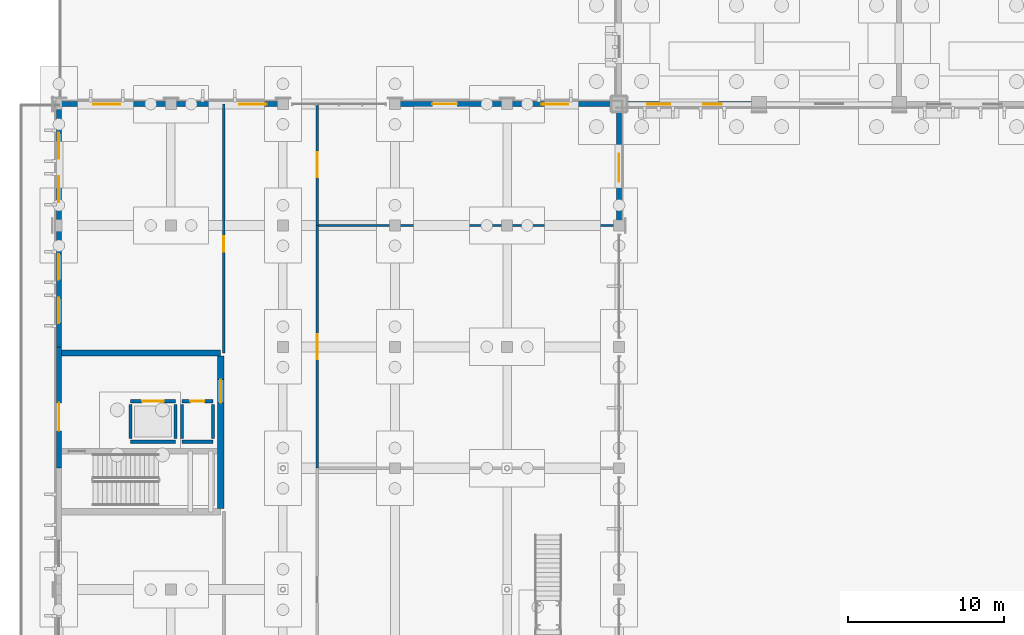
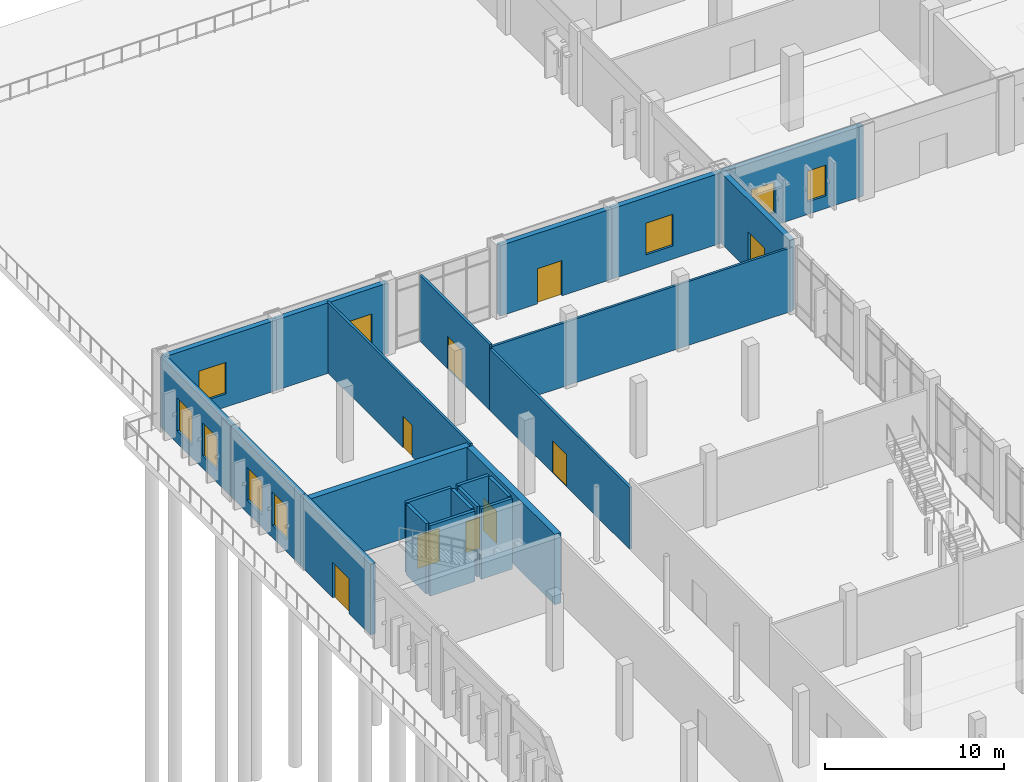
# One storey, part 65 of 94: 23 walls, 9 doors, 9 windows, 18 openings.
"""IFC4 building model written with IfcOpenShell, lengths in metres."""

from ifc_helpers import new_model, si_unit, direction, frame, frame_2d, origin, place, context, subcontext, project, spatial, rectangle, extrude, material, layer, layer_set, type_object, element, fill, save


model = new_model("IFC4")

# Units and contexts
model_context = context("Model", 3, precision=1e-05, world=origin(), true_north=direction((0.0, 1.0)))
body_context = subcontext(model_context, "Body", "Model", "MODEL_VIEW")
ifc_project = project(units=[si_unit("LENGTHUNIT", "METRE"), si_unit("AREAUNIT", "SQUARE_METRE"), si_unit("VOLUMEUNIT", "CUBIC_METRE"), si_unit("PLANEANGLEUNIT", "RADIAN"), si_unit("MASSUNIT", "GRAM", prefix="KILO")], contexts=[model_context])

# Site, building, storey
site_placement = place(None, origin())
site = spatial("IfcSite", under=ifc_project, at=site_placement, CompositionType="ELEMENT")
building_placement = place(site_placement, origin())
building = spatial("IfcBuilding", under=site, at=building_placement, Name="Vervanel Yard Central Library", CompositionType="ELEMENT")
storey_placement = place(building_placement, origin())
storey = spatial("IfcBuildingStorey", under=building, at=storey_placement, Name="L00", CompositionType="ELEMENT", Elevation=0.0)

# Wall, opening, door
ifc_material_1 = material(Name="Fire-rated gypsum board on steel studs", Category="steel")
ifc_layer_1 = layer(ifc_material_1, 0.159912109375, Category="steel")
ifc_layer_set_1 = layer_set([ifc_layer_1], Name="Fire-rated gypsum board on steel studs")
wall_type_1 = type_object("IfcWallType", Name="Acoustic Glazed Partition 160", PredefinedType="PARTITIONING", material=ifc_layer_set_1)
wall_1_placement = place(storey_placement, frame((16.60009765625, 58.800048828125, 0.0), z_axis=(0.0, 0.0, 1.0), x_axis=(0.0, 1.0, 0.0)))
wall_1 = element("IfcWall", 1, at=wall_1_placement, inside=storey, type_object=wall_type_1, Name="L00 Acoustic Glazed Partition 160 IPART-L00-0023", PredefinedType="PARTITIONING", context=body_context, shape_type="SweptSolid", body=[
    extrude(rectangle(XDim=15.599853515625, YDim=0.159912109375, at=frame_2d((7.7998046875, 0.0))), origin(), (0.0, 0.0, 1.0), 4.202880859375),
])
opening_1_placement = place(wall_1_placement, frame((7.0, 0.0, 0.0)))
opening_1 = element("IfcOpeningElement", 2, at=opening_1_placement, cuts=wall_1, Name="Opening DR-04", PredefinedType="OPENING", context=body_context, shape_type="SweptSolid", body=[
    extrude(rectangle(XDim=1.60009765625, YDim=2.199951171875, at=frame_2d((0.800048828125, 1.10009765625))), frame((0.0, 0.08984375, 0.0), z_axis=(0.0, -1.0, 0.0), x_axis=(1.0, 0.0, 0.0)), (0.0, 0.0, 1.0), 0.179931640625),
])
ifc_material_2 = material(Name="Solid white oak acoustic joinery", Category="wood")
door_type_1 = type_object("IfcDoorType", Name="Interior Double Reading Door 1600x2200", OperationType="NOTDEFINED", PredefinedType="DOOR", material=ifc_material_2)
door_1_placement = place(opening_1_placement, origin())
door_1 = element("IfcDoor", 3, at=door_1_placement, inside=storey, type_object=door_type_1, Name="L00 Interior Double Reading Door 1600x2200 IDOOR-L00-0017", OperationType="DOUBLE_DOOR_SINGLE_SWING", OverallHeight=2.199951171875, OverallWidth=1.60009765625, PredefinedType="DOOR", context=body_context, shape_type="SweptSolid", body=[
    extrude(rectangle(XDim=1.60009765625, YDim=2.199951171875, at=frame_2d((0.800048828125, 1.10009765625))), frame((0.0, 0.02490234375, 0.0), z_axis=(0.0, -1.0, 0.0), x_axis=(1.0, 0.0, 0.0)), (0.0, 0.0, 1.0), 0.050048828125),
])
fill(opening_1, door_1)

wall_2_placement = place(storey_placement, frame((16.60009765625, 74.39990234375, 0.0), z_axis=(0.0, 0.0, 1.0), x_axis=(0.0, 1.0, 0.0)))
wall_2 = element("IfcWall", 4, at=wall_2_placement, inside=storey, type_object=wall_type_1, Name="L00 Acoustic Glazed Partition 160 IPART-L00-0025", PredefinedType="PARTITIONING", context=body_context, shape_type="SweptSolid", body=[
    extrude(rectangle(XDim=7.800048828125, YDim=0.159912109375, at=frame_2d((3.89990234375, 0.0))), origin(), (0.0, 0.0, 1.0), 4.489501953125),
])
opening_2_placement = place(wall_2_placement, frame((3.10009765625, 0.0, 0.0)))
opening_2 = element("IfcOpeningElement", 5, at=opening_2_placement, cuts=wall_2, Name="Opening DR-04", PredefinedType="OPENING", context=body_context, shape_type="SweptSolid", body=[
    extrude(rectangle(XDim=1.60009765625, YDim=2.199951171875, at=frame_2d((0.800048828125, 1.10009765625))), frame((0.0, 0.08984375, 0.0), z_axis=(0.0, -1.0, 0.0), x_axis=(1.0, 0.0, 0.0)), (0.0, 0.0, 1.0), 0.179931640625),
])
door_2_placement = place(opening_2_placement, origin())
door_2 = element("IfcDoor", 6, at=door_2_placement, inside=storey, type_object=door_type_1, Name="L00 Interior Double Reading Door 1600x2200 IDOOR-L00-0018", OperationType="DOUBLE_DOOR_SINGLE_SWING", OverallHeight=2.199951171875, OverallWidth=1.60009765625, PredefinedType="DOOR", context=body_context, shape_type="SweptSolid", body=[
    extrude(rectangle(XDim=1.60009765625, YDim=2.199951171875, at=frame_2d((0.800048828125, 1.10009765625))), frame((0.0, 0.02490234375, 0.0), z_axis=(0.0, -1.0, 0.0), x_axis=(1.0, 0.0, 0.0)), (0.0, 0.0, 1.0), 0.050048828125),
])
fill(opening_2, door_2)

# Wall
ifc_material_3 = material(Name="Concrete C45/55", Category="concrete")
ifc_layer_2 = layer(ifc_material_3, 0.39990234375, Category="concrete")
ifc_layer_set_2 = layer_set([ifc_layer_2], Name="Concrete C45/55")
wall_type_2 = type_object("IfcWallType", Name="Core Primary Shear Wall 400", PredefinedType="SHEAR", material=ifc_layer_set_2)
wall_3_placement = place(storey_placement, frame((0.169921875, 66.199951171875, 0.0), z_axis=(0.0, 0.0, 1.0), x_axis=(1.0, 0.0, 0.0)))
element("IfcWall", 7, at=wall_3_placement, inside=storey, type_object=wall_type_2, Name="L00 CORE-C Shear Wall N", PredefinedType="SHEAR", context=body_context, shape_type="SweptSolid", body=[
    extrude(rectangle(XDim=10.22998046875, YDim=0.39990234375, at=frame_2d((5.114990234375, 0.0))), origin(), (0.0, 0.0, 1.0), 4.800048828125),
])

# Wall, opening, door
wall_4_placement = place(storey_placement, frame((10.39990234375, 56.199951171875, 0.0), z_axis=(0.0, 0.0, 1.0), x_axis=(0.0, 1.0, 0.0)))
wall_4 = element("IfcWall", 8, at=wall_4_placement, inside=storey, type_object=wall_type_2, Name="L00 CORE-C Shear Wall E", PredefinedType="SHEAR", context=body_context, shape_type="SweptSolid", body=[
    extrude(rectangle(XDim=9.800048828125, YDim=0.39990234375, at=frame_2d((4.89990234375, 0.0))), origin(), (0.0, 0.0, 1.0), 4.800048828125),
])
opening_3_placement = place(wall_4_placement, frame((6.800048828125, 0.0, 0.0)))
opening_3 = element("IfcOpeningElement", 9, at=opening_3_placement, cuts=wall_4, Name="Opening DR-F02", PredefinedType="OPENING", context=body_context, shape_type="SweptSolid", body=[
    extrude(rectangle(XDim=1.5, YDim=2.199951171875, at=frame_2d((0.75, 1.10009765625))), frame((0.0, 0.2099609375, 0.0), z_axis=(0.0, -1.0, 0.0), x_axis=(1.0, 0.0, 0.0)), (0.0, 0.0, 1.0), 0.419921875),
])
ifc_material_4 = material(Name="Galvanized painted steelwork ASTM A500 Grade C", Category="steel")
door_type_2 = type_object("IfcDoorType", Name="Fire-Rated Lobby Door 1500x2200", OperationType="NOTDEFINED", PredefinedType="DOOR", material=ifc_material_4)
door_3_placement = place(opening_3_placement, origin())
door_3 = element("IfcDoor", 10, at=door_3_placement, inside=storey, type_object=door_type_2, Name="L00 CORE-C Lobby Fire Door", OperationType="DOUBLE_DOOR_SINGLE_SWING", OverallHeight=2.199951171875, OverallWidth=1.5, PredefinedType="DOOR", context=body_context, shape_type="SweptSolid", body=[
    extrude(rectangle(XDim=1.5, YDim=2.199951171875, at=frame_2d((0.75, 1.10009765625))), frame((0.0, 0.02490234375, 0.0), z_axis=(0.0, -1.0, 0.0), x_axis=(1.0, 0.0, 0.0)), (0.0, 0.0, 1.0), 0.050048828125),
])
fill(opening_3, door_3)

# Wall, openings, windows
ifc_layer_3 = layer(ifc_material_3, 0.340087890625, Category="concrete")
ifc_layer_set_3 = layer_set([ifc_layer_3], Name="Concrete C45/55")
wall_type_3 = type_object("IfcWallType", Name="Exterior Bearing Concrete Frame Wall 340", PredefinedType="SOLIDWALL", material=ifc_layer_set_3)
wall_5_placement = place(storey_placement, frame((36.0, 82.199951171875, 0.0), z_axis=(0.0, 0.0, 1.0), x_axis=(1.0, 0.0, 0.0)))
wall_5 = element("IfcWall", 11, at=wall_5_placement, inside=storey, type_object=wall_type_3, Name="L00 Exterior Bearing Concrete Frame Wall 340 EWALL-L00-0011", PredefinedType="SOLIDWALL", context=body_context, shape_type="SweptSolid", body=[
    extrude(rectangle(XDim=9.0, YDim=0.340087890625, at=frame_2d((4.5, 0.0))), origin(), (0.0, 0.0, 1.0), 4.800048828125),
])
opening_4_placement = place(wall_5_placement, frame((1.800048828125, 0.0, 0.85009765625)))
opening_4 = element("IfcOpeningElement", 12, at=opening_4_placement, cuts=wall_5, Name="Opening WN-02", PredefinedType="OPENING", context=body_context, shape_type="SweptSolid", body=[
    extrude(rectangle(XDim=1.5, YDim=2.10009765625, at=frame_2d((0.75, 1.050048828125))), frame((0.0, 0.179931640625, 0.0), z_axis=(0.0, -1.0, 0.0), x_axis=(1.0, 0.0, 0.0)), (0.0, 0.0, 1.0), 0.360107421875),
])
opening_5_placement = place(wall_5_placement, frame((5.39990234375, 0.0, 0.85009765625)))
opening_5 = element("IfcOpeningElement", 13, at=opening_5_placement, cuts=wall_5, Name="Opening WN-01", PredefinedType="OPENING", context=body_context, shape_type="SweptSolid", body=[
    extrude(rectangle(XDim=1.199951171875, YDim=2.10009765625, at=frame_2d((0.60009765625, 1.050048828125))), frame((0.0, 0.179931640625, 0.0), z_axis=(0.0, -1.0, 0.0), x_axis=(1.0, 0.0, 0.0)), (0.0, 0.0, 1.0), 0.360107421875),
])
ifc_material_5 = material(Name="Double low-E laminated solar-control glass", Category="glass")
window_type_1 = type_object("IfcWindowType", Name="Reading Bay Window 1500x2100", PartitioningType="SINGLE_PANEL", PredefinedType="WINDOW", material=ifc_material_5)
window_1_placement = place(opening_4_placement, origin())
window_1 = element("IfcWindow", 14, at=window_1_placement, inside=storey, type_object=window_type_1, Name="L00 Reading Bay Window 1500x2100 15", OverallHeight=2.10009765625, OverallWidth=1.5, PartitioningType="SINGLE_PANEL", PredefinedType="WINDOW", context=body_context, shape_type="SweptSolid", body=[
    extrude(rectangle(XDim=1.5, YDim=2.10009765625, at=frame_2d((0.75, 1.050048828125))), frame((0.0, 0.030029296875, 0.0), z_axis=(0.0, -1.0, 0.0), x_axis=(1.0, 0.0, 0.0)), (0.0, 0.0, 1.0), 0.06005859375),
])
fill(opening_4, window_1)
window_type_2 = type_object("IfcWindowType", Name="Reading Slot Window 1200x2100", PartitioningType="SINGLE_PANEL", PredefinedType="WINDOW", material=ifc_material_5)
window_2_placement = place(opening_5_placement, origin())
window_2 = element("IfcWindow", 15, at=window_2_placement, inside=storey, type_object=window_type_2, Name="L00 Reading Slot Window 1200x2100 16", OverallHeight=2.10009765625, OverallWidth=1.199951171875, PartitioningType="SINGLE_PANEL", PredefinedType="WINDOW", context=body_context, shape_type="SweptSolid", body=[
    extrude(rectangle(XDim=1.199951171875, YDim=2.10009765625, at=frame_2d((0.60009765625, 1.050048828125))), frame((0.0, 0.030029296875, 0.0), z_axis=(0.0, -1.0, 0.0), x_axis=(1.0, 0.0, 0.0)), (0.0, 0.0, 1.0), 0.06005859375),
])
fill(opening_5, window_2)

# Wall, opening, door
wall_6_placement = place(storey_placement, frame((0.0, 58.800048828125, 0.0), z_axis=(0.0, 0.0, 1.0), x_axis=(0.0, 1.0, 0.0)))
wall_6 = element("IfcWall", 16, at=wall_6_placement, inside=storey, type_object=wall_type_3, Name="L00 Exterior Bearing Concrete Frame Wall 340 EWALL-L00-0090", PredefinedType="SOLIDWALL", context=body_context, shape_type="SweptSolid", body=[
    extrude(rectangle(XDim=7.800048828125, YDim=0.340087890625, at=frame_2d((3.89990234375, 0.0))), origin(), (0.0, 0.0, 1.0), 4.800048828125),
])
opening_6_placement = place(wall_6_placement, frame((2.39990234375, 0.0, 0.0)))
opening_6 = element("IfcOpeningElement", 17, at=opening_6_placement, cuts=wall_6, Name="Opening DR-E02", PredefinedType="OPENING", context=body_context, shape_type="SweptSolid", body=[
    extrude(rectangle(XDim=1.800048828125, YDim=2.39990234375, at=frame_2d((0.89990234375, 1.199951171875))), frame((0.0, 0.179931640625, 0.0), z_axis=(0.0, -1.0, 0.0), x_axis=(1.0, 0.0, 0.0)), (0.0, 0.0, 1.0), 0.360107421875),
])
ifc_material_6 = material(Name="Galvanized hollow steel door assembly", Category="steel")
door_type_3 = type_object("IfcDoorType", Name="Double Pedestrian Exit Door 1800x2400", OperationType="NOTDEFINED", PredefinedType="DOOR", material=ifc_material_6)
door_4_placement = place(opening_6_placement, origin())
door_4 = element("IfcDoor", 18, at=door_4_placement, inside=storey, type_object=door_type_3, Name="L00 Double Pedestrian Exit Door 1800x2400 13", OperationType="DOUBLE_DOOR_SINGLE_SWING", OverallHeight=2.39990234375, OverallWidth=1.800048828125, PredefinedType="DOOR", context=body_context, shape_type="SweptSolid", body=[
    extrude(rectangle(XDim=1.800048828125, YDim=2.39990234375, at=frame_2d((0.89990234375, 1.199951171875))), frame((0.0, 0.02490234375, 0.0), z_axis=(0.0, -1.0, 0.0), x_axis=(1.0, 0.0, 0.0)), (0.0, 0.0, 1.0), 0.050048828125),
])
fill(opening_6, door_4)

# Wall, openings, windows
wall_7_placement = place(storey_placement, frame((0.0, 66.60009765625, 0.0), z_axis=(0.0, 0.0, 1.0), x_axis=(0.0, 1.0, 0.0)))
wall_7 = element("IfcWall", 19, at=wall_7_placement, inside=storey, type_object=wall_type_3, Name="L00 Exterior Bearing Concrete Frame Wall 340 EWALL-L00-0091", PredefinedType="SOLIDWALL", context=body_context, shape_type="SweptSolid", body=[
    extrude(rectangle(XDim=7.7998046875, YDim=0.340087890625, at=frame_2d((3.89990234375, 0.0))), origin(), (0.0, 0.0, 1.0), 4.800048828125),
])
opening_7_placement = place(wall_7_placement, frame((1.5, 0.0, 0.85009765625)))
opening_7 = element("IfcOpeningElement", 20, at=opening_7_placement, cuts=wall_7, Name="Opening WN-07", PredefinedType="OPENING", context=body_context, shape_type="SweptSolid", body=[
    extrude(rectangle(XDim=1.64990234375, YDim=2.25, at=frame_2d((0.824951171875, 1.125))), frame((0.0, 0.179931640625, 0.0), z_axis=(0.0, -1.0, 0.0), x_axis=(1.0, 0.0, 0.0)), (0.0, 0.0, 1.0), 0.360107421875),
])
opening_8_placement = place(wall_7_placement, frame((4.300048828125, 0.0, 0.85009765625)))
opening_8 = element("IfcOpeningElement", 21, at=opening_8_placement, cuts=wall_7, Name="Opening WN-07", PredefinedType="OPENING", context=body_context, shape_type="SweptSolid", body=[
    extrude(rectangle(XDim=1.64990234375, YDim=2.25, at=frame_2d((0.824951171875, 1.125))), frame((0.0, 0.179931640625, 0.0), z_axis=(0.0, -1.0, 0.0), x_axis=(1.0, 0.0, 0.0)), (0.0, 0.0, 1.0), 0.360107421875),
])
window_type_3 = type_object("IfcWindowType", Name="Atrium Wing Window 1650x2250", PartitioningType="SINGLE_PANEL", PredefinedType="WINDOW", material=ifc_material_5)
window_3_placement = place(opening_7_placement, origin())
window_3 = element("IfcWindow", 22, at=window_3_placement, inside=storey, type_object=window_type_3, Name="L00 Atrium Wing Window 1650x2250 117", OverallHeight=2.25, OverallWidth=1.64990234375, PartitioningType="SINGLE_PANEL", PredefinedType="WINDOW", context=body_context, shape_type="SweptSolid", body=[
    extrude(rectangle(XDim=1.64990234375, YDim=2.25, at=frame_2d((0.824951171875, 1.125))), frame((0.0, 0.030029296875, 0.0), z_axis=(0.0, -1.0, 0.0), x_axis=(1.0, 0.0, 0.0)), (0.0, 0.0, 1.0), 0.06005859375),
])
fill(opening_7, window_3)
window_4_placement = place(opening_8_placement, origin())
window_4 = element("IfcWindow", 23, at=window_4_placement, inside=storey, type_object=window_type_3, Name="L00 Atrium Wing Window 1650x2250 118", OverallHeight=2.25, OverallWidth=1.64990234375, PartitioningType="SINGLE_PANEL", PredefinedType="WINDOW", context=body_context, shape_type="SweptSolid", body=[
    extrude(rectangle(XDim=1.64990234375, YDim=2.25, at=frame_2d((0.824951171875, 1.125))), frame((0.0, 0.030029296875, 0.0), z_axis=(0.0, -1.0, 0.0), x_axis=(1.0, 0.0, 0.0)), (0.0, 0.0, 1.0), 0.06005859375),
])
fill(opening_8, window_4)

wall_8_placement = place(storey_placement, frame((0.0, 74.39990234375, 0.0), z_axis=(0.0, 0.0, 1.0), x_axis=(0.0, 1.0, 0.0)))
wall_8 = element("IfcWall", 24, at=wall_8_placement, inside=storey, type_object=wall_type_3, Name="L00 Exterior Bearing Concrete Frame Wall 340 EWALL-L00-0092", PredefinedType="SOLIDWALL", context=body_context, shape_type="SweptSolid", body=[
    extrude(rectangle(XDim=7.800048828125, YDim=0.340087890625, at=frame_2d((3.89990234375, 0.0))), origin(), (0.0, 0.0, 1.0), 4.800048828125),
])
opening_9_placement = place(wall_8_placement, frame((1.5, 0.0, 0.85009765625)))
opening_9 = element("IfcOpeningElement", 25, at=opening_9_placement, cuts=wall_8, Name="Opening WN-07", PredefinedType="OPENING", context=body_context, shape_type="SweptSolid", body=[
    extrude(rectangle(XDim=1.64990234375, YDim=2.25, at=frame_2d((0.824951171875, 1.125))), frame((0.0, 0.179931640625, 0.0), z_axis=(0.0, -1.0, 0.0), x_axis=(1.0, 0.0, 0.0)), (0.0, 0.0, 1.0), 0.360107421875),
])
opening_10_placement = place(wall_8_placement, frame((4.300048828125, 0.0, 0.85009765625)))
opening_10 = element("IfcOpeningElement", 26, at=opening_10_placement, cuts=wall_8, Name="Opening WN-07", PredefinedType="OPENING", context=body_context, shape_type="SweptSolid", body=[
    extrude(rectangle(XDim=1.64990234375, YDim=2.25, at=frame_2d((0.824951171875, 1.125))), frame((0.0, 0.179931640625, 0.0), z_axis=(0.0, -1.0, 0.0), x_axis=(1.0, 0.0, 0.0)), (0.0, 0.0, 1.0), 0.360107421875),
])
window_5_placement = place(opening_9_placement, origin())
window_5 = element("IfcWindow", 27, at=window_5_placement, inside=storey, type_object=window_type_3, Name="L00 Atrium Wing Window 1650x2250 119", OverallHeight=2.25, OverallWidth=1.64990234375, PartitioningType="SINGLE_PANEL", PredefinedType="WINDOW", context=body_context, shape_type="SweptSolid", body=[
    extrude(rectangle(XDim=1.64990234375, YDim=2.25, at=frame_2d((0.824951171875, 1.125))), frame((0.0, 0.030029296875, 0.0), z_axis=(0.0, -1.0, 0.0), x_axis=(1.0, 0.0, 0.0)), (0.0, 0.0, 1.0), 0.06005859375),
])
fill(opening_9, window_5)
window_6_placement = place(opening_10_placement, origin())
window_6 = element("IfcWindow", 28, at=window_6_placement, inside=storey, type_object=window_type_3, Name="L00 Atrium Wing Window 1650x2250 120", OverallHeight=2.25, OverallWidth=1.64990234375, PartitioningType="SINGLE_PANEL", PredefinedType="WINDOW", context=body_context, shape_type="SweptSolid", body=[
    extrude(rectangle(XDim=1.64990234375, YDim=2.25, at=frame_2d((0.824951171875, 1.125))), frame((0.0, 0.030029296875, 0.0), z_axis=(0.0, -1.0, 0.0), x_axis=(1.0, 0.0, 0.0)), (0.0, 0.0, 1.0), 0.06005859375),
])
fill(opening_10, window_6)

# Wall, opening, door
wall_9_placement = place(storey_placement, frame((36.0, 74.39990234375, 0.0), z_axis=(0.0, 0.0, 1.0), x_axis=(0.0, 1.0, 0.0)))
wall_9 = element("IfcWall", 29, at=wall_9_placement, inside=storey, type_object=wall_type_3, Name="L00 Exterior Bearing Concrete Frame Wall 340 EWALL-L00-0093", PredefinedType="SOLIDWALL", context=body_context, shape_type="SweptSolid", body=[
    extrude(rectangle(XDim=7.800048828125, YDim=0.340087890625, at=frame_2d((3.89990234375, 0.0))), origin(), (0.0, 0.0, 1.0), 4.800048828125),
])
opening_11_placement = place(wall_9_placement, frame((2.800048828125, 0.0, 0.0)))
opening_11 = element("IfcOpeningElement", 30, at=opening_11_placement, cuts=wall_9, Name="Opening DR-E01", PredefinedType="OPENING", context=body_context, shape_type="SweptSolid", body=[
    extrude(rectangle(XDim=1.800048828125, YDim=2.60009765625, at=frame_2d((0.89990234375, 1.300048828125))), frame((0.0, 0.179931640625, 0.0), z_axis=(0.0, -1.0, 0.0), x_axis=(1.0, 0.0, 0.0)), (0.0, 0.0, 1.0), 0.360107421875),
])
ifc_material_7 = material(Name="Thermally broken anodized aluminium 6063-T6", Category="aluminium")
door_type_4 = type_object("IfcDoorType", Name="Main Civic Entrance Double Door 1800x2600", OperationType="NOTDEFINED", PredefinedType="DOOR", material=ifc_material_7)
door_5_placement = place(opening_11_placement, frame((1.800048828125, 0.0, 0.0), z_axis=(0.0, 0.0, 1.0), x_axis=(-1.0, 0.0, 0.0)))
door_5 = element("IfcDoor", 31, at=door_5_placement, inside=storey, type_object=door_type_4, Name="L00 Main Civic Entrance Double Door 1800x2600 14", OperationType="DOUBLE_DOOR_SINGLE_SWING", OverallHeight=2.60009765625, OverallWidth=1.800048828125, PredefinedType="DOOR", context=body_context, shape_type="SweptSolid", body=[
    extrude(rectangle(XDim=1.800048828125, YDim=2.60009765625, at=frame_2d((0.89990234375, 1.300048828125))), frame((0.0, 0.02490234375, 0.0), z_axis=(0.0, -1.0, 0.0), x_axis=(1.0, 0.0, 0.0)), (0.0, 0.0, 1.0), 0.050048828125),
])
fill(opening_11, door_5)

# Wall, opening, window
wall_10_placement = place(storey_placement, frame((0.0, 82.199951171875, 0.0), z_axis=(0.0, 0.0, 1.0), x_axis=(1.0, 0.0, 0.0)))
wall_10 = element("IfcWall", 32, at=wall_10_placement, inside=storey, type_object=wall_type_3, Name="L00 Exterior Bearing Concrete Frame Wall 340 EWALL-L00-0094", PredefinedType="SOLIDWALL", context=body_context, shape_type="SweptSolid", body=[
    extrude(rectangle(XDim=7.199951171875, YDim=0.340087890625, at=frame_2d((3.60009765625, 0.0))), origin(), (0.0, 0.0, 1.0), 4.800048828125),
])
opening_12_placement = place(wall_10_placement, frame((2.199951171875, 0.0, 0.89990234375)))
opening_12 = element("IfcOpeningElement", 33, at=opening_12_placement, cuts=wall_10, Name="Opening WN-23", PredefinedType="OPENING", context=body_context, shape_type="SweptSolid", body=[
    extrude(rectangle(XDim=1.75, YDim=2.14990234375, at=frame_2d((0.875, 1.074951171875))), frame((0.0, 0.179931640625, 0.0), z_axis=(0.0, -1.0, 0.0), x_axis=(1.0, 0.0, 0.0)), (0.0, 0.0, 1.0), 0.360107421875),
])
window_type_4 = type_object("IfcWindowType", Name="Atrium Northlight Window 1750x2150", PartitioningType="SINGLE_PANEL", PredefinedType="WINDOW", material=ifc_material_5)
window_7_placement = place(opening_12_placement, origin())
window_7 = element("IfcWindow", 34, at=window_7_placement, inside=storey, type_object=window_type_4, Name="L00 Atrium Northlight Window 1750x2150 121", OverallHeight=2.14990234375, OverallWidth=1.75, PartitioningType="SINGLE_PANEL", PredefinedType="WINDOW", context=body_context, shape_type="SweptSolid", body=[
    extrude(rectangle(XDim=1.75, YDim=2.14990234375, at=frame_2d((0.875, 1.074951171875))), frame((0.0, 0.030029296875, 0.0), z_axis=(0.0, -1.0, 0.0), x_axis=(1.0, 0.0, 0.0)), (0.0, 0.0, 1.0), 0.06005859375),
])
fill(opening_12, window_7)

wall_11_placement = place(storey_placement, frame((7.199951171875, 82.199951171875, 0.0), z_axis=(0.0, 0.0, 1.0), x_axis=(1.0, 0.0, 0.0)))
wall_11 = element("IfcWall", 35, at=wall_11_placement, inside=storey, type_object=wall_type_3, Name="L00 Exterior Bearing Concrete Frame Wall 340 EWALL-L00-0095", PredefinedType="SOLIDWALL", context=body_context, shape_type="SweptSolid", body=[
    extrude(rectangle(XDim=7.199951171875, YDim=0.340087890625, at=frame_2d((3.60009765625, 0.0))), origin(), (0.0, 0.0, 1.0), 4.800048828125),
])
opening_13_placement = place(wall_11_placement, frame((4.39990234375, 0.0, 0.89990234375)))
opening_13 = element("IfcOpeningElement", 36, at=opening_13_placement, cuts=wall_11, Name="Opening WN-23", PredefinedType="OPENING", context=body_context, shape_type="SweptSolid", body=[
    extrude(rectangle(XDim=1.75, YDim=2.14990234375, at=frame_2d((0.875, 1.074951171875))), frame((0.0, 0.179931640625, 0.0), z_axis=(0.0, -1.0, 0.0), x_axis=(1.0, 0.0, 0.0)), (0.0, 0.0, 1.0), 0.360107421875),
])
window_8_placement = place(opening_13_placement, origin())
window_8 = element("IfcWindow", 37, at=window_8_placement, inside=storey, type_object=window_type_4, Name="L00 Atrium Northlight Window 1750x2150 122", OverallHeight=2.14990234375, OverallWidth=1.75, PartitioningType="SINGLE_PANEL", PredefinedType="WINDOW", context=body_context, shape_type="SweptSolid", body=[
    extrude(rectangle(XDim=1.75, YDim=2.14990234375, at=frame_2d((0.875, 1.074951171875))), frame((0.0, 0.030029296875, 0.0), z_axis=(0.0, -1.0, 0.0), x_axis=(1.0, 0.0, 0.0)), (0.0, 0.0, 1.0), 0.06005859375),
])
fill(opening_13, window_8)

# Wall, opening, door
wall_12_placement = place(storey_placement, frame((21.60009765625, 82.199951171875, 0.0), z_axis=(0.0, 0.0, 1.0), x_axis=(1.0, 0.0, 0.0)))
wall_12 = element("IfcWall", 38, at=wall_12_placement, inside=storey, type_object=wall_type_3, Name="L00 Exterior Bearing Concrete Frame Wall 340 EWALL-L00-0096", PredefinedType="SOLIDWALL", context=body_context, shape_type="SweptSolid", body=[
    extrude(rectangle(XDim=7.199951171875, YDim=0.340087890625, at=frame_2d((3.60009765625, 0.0))), origin(), (0.0, 0.0, 1.0), 4.800048828125),
])
opening_14_placement = place(wall_12_placement, frame((2.39990234375, 0.0, 0.0)))
opening_14 = element("IfcOpeningElement", 39, at=opening_14_placement, cuts=wall_12, Name="Opening DR-E03", PredefinedType="OPENING", context=body_context, shape_type="SweptSolid", body=[
    extrude(rectangle(XDim=1.60009765625, YDim=2.39990234375, at=frame_2d((0.800048828125, 1.199951171875))), frame((0.0, 0.179931640625, 0.0), z_axis=(0.0, -1.0, 0.0), x_axis=(1.0, 0.0, 0.0)), (0.0, 0.0, 1.0), 0.360107421875),
])
door_type_5 = type_object("IfcDoorType", Name="Courtyard Glazed Double Door 1600x2400", OperationType="NOTDEFINED", PredefinedType="DOOR", material=ifc_material_7)
door_6_placement = place(opening_14_placement, origin())
door_6 = element("IfcDoor", 40, at=door_6_placement, inside=storey, type_object=door_type_5, Name="L00 Courtyard Glazed Double Door 1600x2400 15", OperationType="DOUBLE_DOOR_SINGLE_SWING", OverallHeight=2.39990234375, OverallWidth=1.60009765625, PredefinedType="DOOR", context=body_context, shape_type="SweptSolid", body=[
    extrude(rectangle(XDim=1.60009765625, YDim=2.39990234375, at=frame_2d((0.800048828125, 1.199951171875))), frame((0.0, 0.02490234375, 0.0), z_axis=(0.0, -1.0, 0.0), x_axis=(1.0, 0.0, 0.0)), (0.0, 0.0, 1.0), 0.050048828125),
])
fill(opening_14, door_6)

# Wall, opening, window
wall_13_placement = place(storey_placement, frame((28.800048828125, 82.199951171875, 0.0), z_axis=(0.0, 0.0, 1.0), x_axis=(1.0, 0.0, 0.0)))
wall_13 = element("IfcWall", 41, at=wall_13_placement, inside=storey, type_object=wall_type_3, Name="L00 Exterior Bearing Concrete Frame Wall 340 EWALL-L00-0097", PredefinedType="SOLIDWALL", context=body_context, shape_type="SweptSolid", body=[
    extrude(rectangle(XDim=7.199951171875, YDim=0.340087890625, at=frame_2d((3.60009765625, 0.0))), origin(), (0.0, 0.0, 1.0), 4.800048828125),
])
opening_15_placement = place(wall_13_placement, frame((2.199951171875, 0.0, 0.89990234375)))
opening_15 = element("IfcOpeningElement", 42, at=opening_15_placement, cuts=wall_13, Name="Opening WN-23", PredefinedType="OPENING", context=body_context, shape_type="SweptSolid", body=[
    extrude(rectangle(XDim=1.75, YDim=2.14990234375, at=frame_2d((0.875, 1.074951171875))), frame((0.0, 0.179931640625, 0.0), z_axis=(0.0, -1.0, 0.0), x_axis=(1.0, 0.0, 0.0)), (0.0, 0.0, 1.0), 0.360107421875),
])
window_9_placement = place(opening_15_placement, origin())
window_9 = element("IfcWindow", 43, at=window_9_placement, inside=storey, type_object=window_type_4, Name="L00 Atrium Northlight Window 1750x2150 123", OverallHeight=2.14990234375, OverallWidth=1.75, PartitioningType="SINGLE_PANEL", PredefinedType="WINDOW", context=body_context, shape_type="SweptSolid", body=[
    extrude(rectangle(XDim=1.75, YDim=2.14990234375, at=frame_2d((0.875, 1.074951171875))), frame((0.0, 0.030029296875, 0.0), z_axis=(0.0, -1.0, 0.0), x_axis=(1.0, 0.0, 0.0)), (0.0, 0.0, 1.0), 0.06005859375),
])
fill(opening_15, window_9)

# Wall
ifc_layer_4 = layer(ifc_material_1, 0.14990234375, Category="steel")
ifc_layer_set_4 = layer_set([ifc_layer_4], Name="Fire-rated gypsum board on steel studs")
wall_type_4 = type_object("IfcWallType", Name="Interior Partition 150", PredefinedType="PARTITIONING", material=ifc_layer_set_4)
wall_14_placement = place(storey_placement, frame((16.60009765625, 74.39990234375, 0.0), z_axis=(0.0, 0.0, 1.0), x_axis=(1.0, 0.0, 0.0)))
element("IfcWall", 44, at=wall_14_placement, inside=storey, type_object=wall_type_4, Name="L00 Interior Partition 150 IPART-L00-0026", PredefinedType="PARTITIONING", context=body_context, shape_type="SweptSolid", body=[
    extrude(rectangle(XDim=19.39990234375, YDim=0.14990234375, at=frame_2d((9.699951171875, 0.0))), origin(), (0.0, 0.0, 1.0), 4.34765625),
])

# Wall, opening, door
wall_15_placement = place(storey_placement, frame((10.60009765625, 66.199951171875, 0.0), z_axis=(0.0, 0.0, 1.0), x_axis=(0.0, 1.0, 0.0)))
wall_15 = element("IfcWall", 45, at=wall_15_placement, inside=storey, type_object=wall_type_4, Name="L00 Interior Partition 150 IPART-L00-0028", PredefinedType="PARTITIONING", context=body_context, shape_type="SweptSolid", body=[
    extrude(rectangle(XDim=16.0, YDim=0.14990234375, at=frame_2d((8.0, 0.0))), origin(), (0.0, 0.0, 1.0), 4.800048828125),
])
opening_16_placement = place(wall_15_placement, frame((6.5, 0.0, 0.0)))
opening_16 = element("IfcOpeningElement", 46, at=opening_16_placement, cuts=wall_15, Name="Opening DR-01", PredefinedType="OPENING", context=body_context, shape_type="SweptSolid", body=[
    extrude(rectangle(XDim=1.0, YDim=2.14990234375, at=frame_2d((0.5, 1.074951171875))), frame((0.0, 0.0849609375, 0.0), z_axis=(0.0, -1.0, 0.0), x_axis=(1.0, 0.0, 0.0)), (0.0, 0.0, 1.0), 0.169921875),
])
door_type_6 = type_object("IfcDoorType", Name="Interior Single Door 1000x2150", OperationType="NOTDEFINED", PredefinedType="DOOR", material=ifc_material_2)
door_7_placement = place(opening_16_placement, origin())
door_7 = element("IfcDoor", 47, at=door_7_placement, inside=storey, type_object=door_type_6, Name="L00 Interior Single Door 1000x2150 IDOOR-L00-0020", OperationType="SINGLE_SWING_LEFT", OverallHeight=2.14990234375, OverallWidth=1.0, PredefinedType="DOOR", context=body_context, shape_type="SweptSolid", body=[
    extrude(rectangle(XDim=1.0, YDim=2.14990234375, at=frame_2d((0.5, 1.074951171875))), frame((0.0, 0.02490234375, 0.0), z_axis=(0.0, -1.0, 0.0), x_axis=(1.0, 0.0, 0.0)), (0.0, 0.0, 1.0), 0.050048828125),
])
fill(opening_16, door_7)

# Wall
ifc_material_8 = material(Name="Concrete C40/50", Category="concrete")
ifc_layer_5 = layer(ifc_material_8, 0.199951171875, Category="concrete")
ifc_layer_set_5 = layer_set([ifc_layer_5], Name="Concrete C40/50")
wall_type_5 = type_object("IfcWallType", Name="Shaft & Plant Rated Wall 200", PredefinedType="PARTITIONING", material=ifc_layer_set_5)
wall_16_placement = place(storey_placement, frame((4.60009765625, 60.5, 0.0), z_axis=(0.0, 0.0, 1.0), x_axis=(1.0, 0.0, 0.0)))
element("IfcWall", 48, at=wall_16_placement, inside=storey, type_object=wall_type_5, Name="L00 CORE-C-L00-EL-06 Shaft Wall S", PredefinedType="PARTITIONING", context=body_context, shape_type="SweptSolid", body=[
    extrude(rectangle(XDim=2.89990234375, YDim=0.199951171875, at=frame_2d((1.449951171875, 0.0))), origin(), (0.0, 0.0, 1.0), 4.800048828125),
])

# Wall, opening, door
wall_17_placement = place(storey_placement, frame((4.60009765625, 63.10009765625, 0.0), z_axis=(0.0, 0.0, 1.0), x_axis=(1.0, 0.0, 0.0)))
wall_17 = element("IfcWall", 49, at=wall_17_placement, inside=storey, type_object=wall_type_5, Name="L00 CORE-C-L00-EL-06 Shaft Wall N", PredefinedType="PARTITIONING", context=body_context, shape_type="SweptSolid", body=[
    extrude(rectangle(XDim=2.89990234375, YDim=0.199951171875, at=frame_2d((1.449951171875, 0.0))), origin(), (0.0, 0.0, 1.0), 4.800048828125),
])
opening_17_placement = place(wall_17_placement, frame((0.75, 0.0, 0.0)))
opening_17 = element("IfcOpeningElement", 50, at=opening_17_placement, cuts=wall_17, Name="Opening LD-02", PredefinedType="OPENING", context=body_context, shape_type="SweptSolid", body=[
    extrude(rectangle(XDim=1.39990234375, YDim=2.25, at=frame_2d((0.699951171875, 1.125))), frame((0.0, 0.10986328125, 0.0), z_axis=(0.0, -1.0, 0.0), x_axis=(1.0, 0.0, 0.0)), (0.0, 0.0, 1.0), 0.219970703125),
])
ifc_material_9 = material(Name="Brushed stainless steel AISI 316", Category="steel")
door_type_7 = type_object("IfcDoorType", Name="Collections Freight Lift Sliding Door 1400x2250", OperationType="NOTDEFINED", PredefinedType="DOOR", material=ifc_material_9)
door_8_placement = place(opening_17_placement, origin())
door_8 = element("IfcDoor", 51, at=door_8_placement, inside=storey, type_object=door_type_7, Name="L00 Lift EL-06 Landing Door", OperationType="SLIDING_TO_LEFT", OverallHeight=2.25, OverallWidth=1.39990234375, PredefinedType="DOOR", context=body_context, shape_type="SweptSolid", body=[
    extrude(rectangle(XDim=1.39990234375, YDim=2.25, at=frame_2d((0.699951171875, 1.125))), frame((0.0, 0.02490234375, 0.0), z_axis=(0.0, -1.0, 0.0), x_axis=(1.0, 0.0, 0.0)), (0.0, 0.0, 1.0), 0.050048828125),
])
fill(opening_17, door_8)

# Walls
for number, where, z_axis, x_axis, name in (
    (52, (4.60009765625, 60.699951171875, 0.0), (0.0, 0.0, 1.0), (0.0, 1.0, 0.0), "L00 CORE-C-L00-EL-06 Shaft Wall W"),
    (53, (7.5, 60.699951171875, 0.0), (0.0, 0.0, 1.0), (0.0, 1.0, 0.0), "L00 CORE-C-L00-EL-06 Shaft Wall E"),
):
    element("IfcWall", number, at=place(storey_placement, frame(where, z_axis=z_axis, x_axis=x_axis)), inside=storey, type_object=wall_type_5, Name=name, PredefinedType="PARTITIONING", context=body_context, shape_type="SweptSolid", body=[
        extrude(rectangle(XDim=2.199951171875, YDim=0.199951171875, at=frame_2d((1.10009765625, 0.0))), origin(), (0.0, 0.0, 1.0), 4.800048828125),
    ])
wall_18_placement = place(storey_placement, frame((7.89990234375, 60.5, 0.0), z_axis=(0.0, 0.0, 1.0), x_axis=(1.0, 0.0, 0.0)))
element("IfcWall", 54, at=wall_18_placement, inside=storey, type_object=wall_type_5, Name="L00 CORE-C-L00-RIS Shaft Wall S", PredefinedType="PARTITIONING", context=body_context, shape_type="SweptSolid", body=[
    extrude(rectangle(XDim=2.0, YDim=0.199951171875, at=frame_2d((1.0, 0.0))), origin(), (0.0, 0.0, 1.0), 4.800048828125),
])

# Wall, opening, door
wall_19_placement = place(storey_placement, frame((7.89990234375, 63.10009765625, 0.0), z_axis=(0.0, 0.0, 1.0), x_axis=(1.0, 0.0, 0.0)))
wall_19 = element("IfcWall", 55, at=wall_19_placement, inside=storey, type_object=wall_type_5, Name="L00 CORE-C-L00-RIS Shaft Wall N", PredefinedType="PARTITIONING", context=body_context, shape_type="SweptSolid", body=[
    extrude(rectangle(XDim=2.0, YDim=0.199951171875, at=frame_2d((1.0, 0.0))), origin(), (0.0, 0.0, 1.0), 4.800048828125),
])
opening_18_placement = place(wall_19_placement, frame((0.550048828125, 0.0, 0.0)))
opening_18 = element("IfcOpeningElement", 56, at=opening_18_placement, cuts=wall_19, Name="Opening DR-03", PredefinedType="OPENING", context=body_context, shape_type="SweptSolid", body=[
    extrude(rectangle(XDim=0.89990234375, YDim=2.10009765625, at=frame_2d((0.449951171875, 1.050048828125))), frame((0.0, 0.10986328125, 0.0), z_axis=(0.0, -1.0, 0.0), x_axis=(1.0, 0.0, 0.0)), (0.0, 0.0, 1.0), 0.219970703125),
])
door_type_8 = type_object("IfcDoorType", Name="Interior Riser Access Door 900x2100", OperationType="NOTDEFINED", PredefinedType="DOOR", material=ifc_material_4)
door_9_placement = place(opening_18_placement, origin())
door_9 = element("IfcDoor", 57, at=door_9_placement, inside=storey, type_object=door_type_8, Name="L00 CORE-C Riser Access Door", OperationType="SINGLE_SWING_LEFT", OverallHeight=2.10009765625, OverallWidth=0.89990234375, PredefinedType="DOOR", context=body_context, shape_type="SweptSolid", body=[
    extrude(rectangle(XDim=0.89990234375, YDim=2.10009765625, at=frame_2d((0.449951171875, 1.050048828125))), frame((0.0, 0.02490234375, 0.0), z_axis=(0.0, -1.0, 0.0), x_axis=(1.0, 0.0, 0.0)), (0.0, 0.0, 1.0), 0.050048828125),
])
fill(opening_18, door_9)

# Walls
for number, where, z_axis, x_axis, name in (
    (58, (7.89990234375, 60.699951171875, 0.0), (0.0, 0.0, 1.0), (0.0, 1.0, 0.0), "L00 CORE-C-L00-RIS Shaft Wall W"),
    (59, (9.89990234375, 60.699951171875, 0.0), (0.0, 0.0, 1.0), (0.0, 1.0, 0.0), "L00 CORE-C-L00-RIS Shaft Wall E"),
):
    element("IfcWall", number, at=place(storey_placement, frame(where, z_axis=z_axis, x_axis=x_axis)), inside=storey, type_object=wall_type_5, Name=name, PredefinedType="PARTITIONING", context=body_context, shape_type="SweptSolid", body=[
        extrude(rectangle(XDim=2.199951171875, YDim=0.199951171875, at=frame_2d((1.10009765625, 0.0))), origin(), (0.0, 0.0, 1.0), 4.800048828125),
    ])

save(model, "model.ifc")
